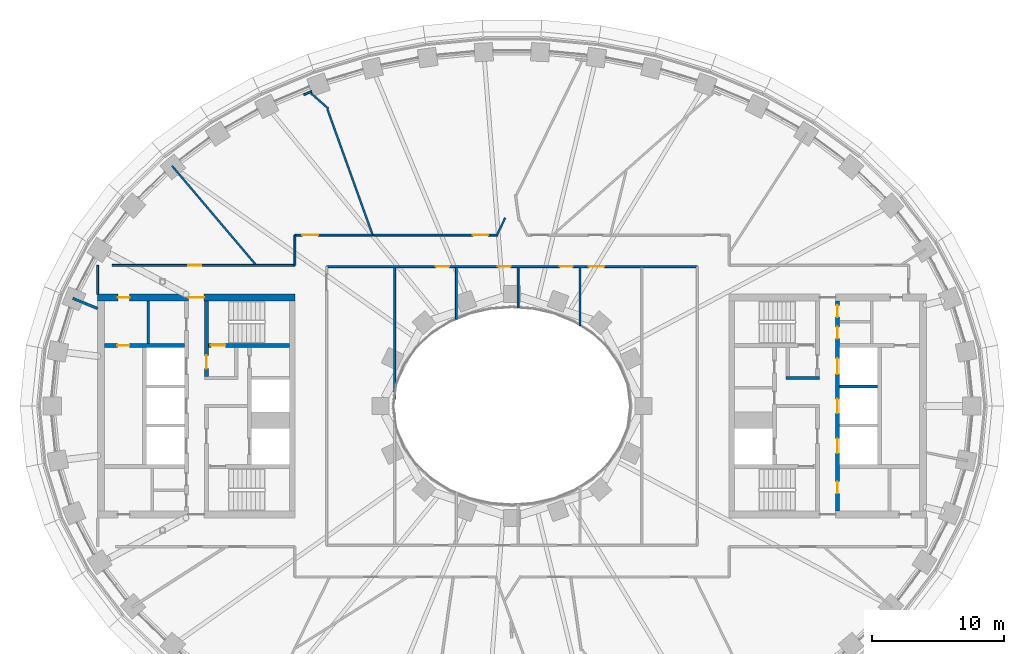
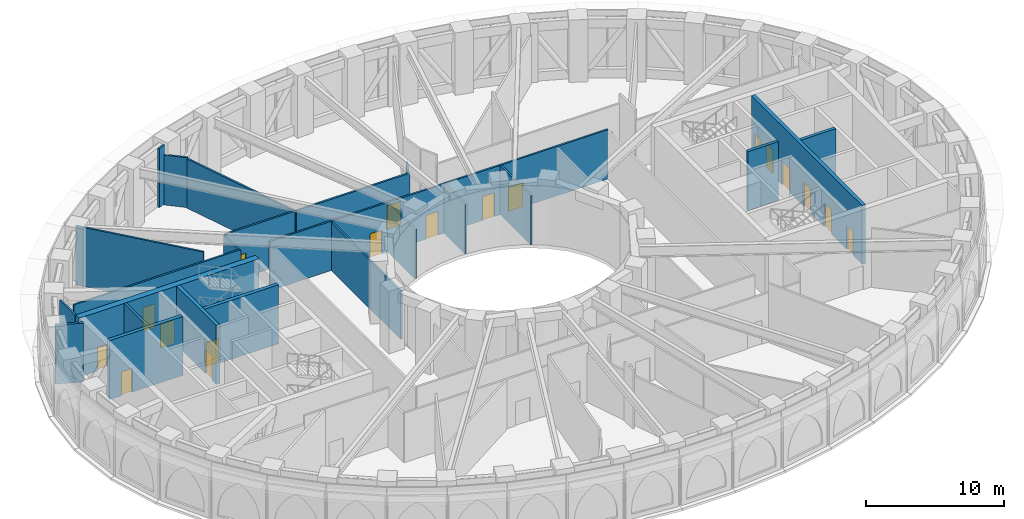
# One storey, part 8 of 25: 24 walls, 18 doors, 18 openings.
"""IFC4 building model written with IfcOpenShell, lengths in metres."""

from ifc_helpers import new_model, si_unit, direction, frame, frame_2d, origin, place, context, subcontext, project, spatial, rectangle, extrude, material, layer, layer_set, type_object, element, fill, save


model = new_model("IFC4")

# Units and contexts
model_context = context("Model", 3, precision=1e-05, world=origin(), true_north=direction((0.0, 1.0)))
body_context = subcontext(model_context, "Body", "Model", "MODEL_VIEW")
ifc_project = project(units=[si_unit("LENGTHUNIT", "METRE"), si_unit("AREAUNIT", "SQUARE_METRE"), si_unit("VOLUMEUNIT", "CUBIC_METRE"), si_unit("PLANEANGLEUNIT", "RADIAN"), si_unit("MASSUNIT", "GRAM", prefix="KILO")], contexts=[model_context])

# Site, building, storey
site_placement = place(None, origin())
site = spatial("IfcSite", under=ifc_project, at=site_placement, CompositionType="ELEMENT")
building_placement = place(site_placement, origin())
building = spatial("IfcBuilding", under=site, at=building_placement, Name="Noorbagh Ring Tower", CompositionType="ELEMENT")
storey_placement = place(building_placement, frame((0.0, 0.0, 82.5)))
storey = spatial("IfcBuildingStorey", under=building, at=storey_placement, Name="L18", CompositionType="ELEMENT", Elevation=82.5)

# Wall
ifc_material_1 = material(Name="Gypsum board on steel studs", Category="steel")
ifc_layer_1 = layer(ifc_material_1, 0.14990234375)
ifc_layer_set_1 = layer_set([ifc_layer_1], Name="Gypsum board on steel studs")
wall_type_1 = type_object("IfcWallType", Name="COMPARTMENT PARTITION 150 EI 60", PredefinedType="PARTITIONING", material=ifc_layer_set_1)
wall_1_placement = place(storey_placement, frame((-31.5, 8.5, 0.0), z_axis=(0.0, 0.0, 1.0), x_axis=(0.0, 1.0, 0.0)))
element("IfcWall", 1, at=wall_1_placement, inside=storey, type_object=wall_type_1, Name="L18/wall/P04", PredefinedType="PARTITIONING", context=body_context, shape_type="SweptSolid", body=[
    extrude(rectangle(XDim=2.199951171875, YDim=0.14990234375, at=frame_2d((1.10009765625, 0.0))), origin(), (0.0, 0.0, 1.0), 5.199951171875),
])

# Wall, opening, door
wall_2_placement = place(storey_placement, frame((-30.39501953125, 10.699951171875, 0.0), z_axis=(0.0, 0.0, 1.0), x_axis=(1.0, 0.0, 0.0)))
wall_2 = element("IfcWall", 2, at=wall_2_placement, inside=storey, type_object=wall_type_1, Name="L18/wall/P05", PredefinedType="PARTITIONING", context=body_context, shape_type="SweptSolid", body=[
    extrude(rectangle(XDim=13.89501953125, YDim=0.14990234375, at=frame_2d((6.947509765625, 0.0))), origin(), (0.0, 0.0, 1.0), 4.39990234375),
])
opening_1_placement = place(wall_2_placement, frame((5.77001953125, 0.0, 0.0)))
opening_1 = element("IfcOpeningElement", 3, at=opening_1_placement, cuts=wall_2, Name="Opening D6", PredefinedType="OPENING", context=body_context, shape_type="SweptSolid", body=[
    extrude(rectangle(XDim=1.0, YDim=2.10009765625, at=frame_2d((0.5, 1.050048828125))), frame((0.0, 0.0849609375, 0.0), z_axis=(0.0, -1.0, 0.0), x_axis=(1.0, 0.0, 0.0)), (0.0, 0.0, 1.0), 0.169921875),
])
ifc_material_2 = material(Name="Timber, painted", Category="wood")
door_type_1 = type_object("IfcDoorType", Name="DOOR 1000 X 2100 FD60", OperationType="SINGLE_SWING_LEFT", PredefinedType="DOOR", material=ifc_material_2)
door_1_placement = place(opening_1_placement, origin())
door_1 = element("IfcDoor", 4, at=door_1_placement, inside=storey, type_object=door_type_1, Name="L18-D02", OperationType="SINGLE_SWING_RIGHT", OverallHeight=2.10009765625, OverallWidth=1.0, PredefinedType="DOOR", context=body_context, shape_type="SweptSolid", body=[
    extrude(rectangle(XDim=1.0, YDim=2.10009765625, at=frame_2d((0.5, 1.050048828125))), frame((0.0, 0.02490234375, 0.0), z_axis=(0.0, -1.0, 0.0), x_axis=(1.0, 0.0, 0.0)), (0.0, 0.0, 1.0), 0.050048828125),
])
fill(opening_1, door_1)

# Walls
wall_3_placement = place(storey_placement, frame((-25.846923828125, 18.257080078125, 0.0), z_axis=(0.0, 0.0, 1.0), x_axis=(0.646390974263, -0.76300636196, 0.0)))
element("IfcWall", 5, at=wall_3_placement, inside=storey, type_object=wall_type_1, Name="L18/wall/P07", PredefinedType="PARTITIONING", context=body_context, shape_type="SweptSolid", body=[
    extrude(rectangle(XDim=9.802001953125, YDim=0.14990234375, at=frame_2d((4.90087890625, 0.0))), origin(), (0.0, 0.0, 1.0), 5.199951171875),
])
wall_4_placement = place(storey_placement, frame((-16.5, 10.699951171875, 0.0), z_axis=(0.0, 0.0, 1.0), x_axis=(0.0, 1.0, 0.0)))
element("IfcWall", 6, at=wall_4_placement, inside=storey, type_object=wall_type_1, Name="L18/wall/P13", PredefinedType="PARTITIONING", context=body_context, shape_type="SweptSolid", body=[
    extrude(rectangle(XDim=2.300048828125, YDim=0.14990234375, at=frame_2d((1.14990234375, 0.0))), origin(), (0.0, 0.0, 1.0), 4.25),
])

# Wall, opening, door
wall_5_placement = place(storey_placement, frame((-16.5, 13.0, 0.0), z_axis=(0.0, 0.0, 1.0), x_axis=(1.0, 0.0, 0.0)))
wall_5 = element("IfcWall", 7, at=wall_5_placement, inside=storey, type_object=wall_type_1, Name="L18/wall/P14", PredefinedType="PARTITIONING", context=body_context, shape_type="SweptSolid", body=[
    extrude(rectangle(XDim=5.89306640625, YDim=0.14990234375, at=frame_2d((2.946533203125, 0.0))), origin(), (0.0, 0.0, 1.0), 4.35009765625),
])
opening_2_placement = place(wall_5_placement, frame((0.554931640625, 0.0, 0.0)))
opening_2 = element("IfcOpeningElement", 8, at=opening_2_placement, cuts=wall_5, Name="Opening D7", PredefinedType="OPENING", context=body_context, shape_type="SweptSolid", body=[
    extrude(rectangle(XDim=1.199951171875, YDim=2.10009765625, at=frame_2d((0.60009765625, 1.050048828125))), frame((0.0, 0.0849609375, 0.0), z_axis=(0.0, -1.0, 0.0), x_axis=(1.0, 0.0, 0.0)), (0.0, 0.0, 1.0), 0.169921875),
])
ifc_material_3 = material(Name="Timber, painted", Category="wood")
door_type_2 = type_object("IfcDoorType", Name="DOOR 1200 X 2100 FD60", OperationType="SINGLE_SWING_LEFT", PredefinedType="DOOR", material=ifc_material_3)
door_2_placement = place(opening_2_placement, origin())
door_2 = element("IfcDoor", 9, at=door_2_placement, inside=storey, type_object=door_type_2, Name="L18-D04", OperationType="SINGLE_SWING_RIGHT", OverallHeight=2.10009765625, OverallWidth=1.199951171875, PredefinedType="DOOR", context=body_context, shape_type="SweptSolid", body=[
    extrude(rectangle(XDim=1.199951171875, YDim=2.10009765625, at=frame_2d((0.60009765625, 1.050048828125))), frame((0.0, 0.02490234375, 0.0), z_axis=(0.0, -1.0, 0.0), x_axis=(1.0, 0.0, 0.0)), (0.0, 0.0, 1.0), 0.050048828125),
])
fill(opening_2, door_2)

# Wall
wall_6_placement = place(storey_placement, frame((-15.282958984375, 23.776123046875, 0.0), z_axis=(0.0, 0.0, 1.0), x_axis=(0.749266135691, -0.662269022307, 0.0)))
element("IfcWall", 10, at=wall_6_placement, inside=storey, type_object=wall_type_1, Name="L18/wall/P15", PredefinedType="PARTITIONING", context=body_context, shape_type="SweptSolid", body=[
    extrude(rectangle(XDim=1.74560546875, YDim=0.14990234375, at=frame_2d((0.872802734375, 0.0))), origin(), (0.0, 0.0, 1.0), 4.39990234375),
])

# Wall, openings, doors
wall_7_placement = place(storey_placement, frame((-14.10009765625, 10.60009765625, 0.0), z_axis=(0.0, 0.0, 1.0), x_axis=(1.0, 0.0, 0.0)))
wall_7 = element("IfcWall", 11, at=wall_7_placement, inside=storey, type_object=wall_type_1, Name="L18/wall/P18", PredefinedType="PARTITIONING", context=body_context, shape_type="SweptSolid", body=[
    extrude(rectangle(XDim=28.2001953125, YDim=0.14990234375, at=frame_2d((14.10009765625, 0.0))), origin(), (0.0, 0.0, 1.0), 4.35009765625),
])
opening_3_placement = place(wall_7_placement, frame((8.320068359375, 0.0, 0.0)))
opening_3 = element("IfcOpeningElement", 12, at=opening_3_placement, cuts=wall_7, Name="Opening D6", PredefinedType="OPENING", context=body_context, shape_type="SweptSolid", body=[
    extrude(rectangle(XDim=1.0, YDim=2.10009765625, at=frame_2d((0.5, 1.050048828125))), frame((0.0, 0.0849609375, 0.0), z_axis=(0.0, -1.0, 0.0), x_axis=(1.0, 0.0, 0.0)), (0.0, 0.0, 1.0), 0.169921875),
])
opening_4_placement = place(wall_7_placement, frame((13.02001953125, 0.0, 0.0)))
opening_4 = element("IfcOpeningElement", 13, at=opening_4_placement, cuts=wall_7, Name="Opening D6", PredefinedType="OPENING", context=body_context, shape_type="SweptSolid", body=[
    extrude(rectangle(XDim=1.0, YDim=2.10009765625, at=frame_2d((0.5, 1.050048828125))), frame((0.0, 0.0849609375, 0.0), z_axis=(0.0, -1.0, 0.0), x_axis=(1.0, 0.0, 0.0)), (0.0, 0.0, 1.0), 0.169921875),
])
opening_5_placement = place(wall_7_placement, frame((17.719970703125, 0.0, 0.0)))
opening_5 = element("IfcOpeningElement", 14, at=opening_5_placement, cuts=wall_7, Name="Opening D6", PredefinedType="OPENING", context=body_context, shape_type="SweptSolid", body=[
    extrude(rectangle(XDim=1.0, YDim=2.10009765625, at=frame_2d((0.5, 1.050048828125))), frame((0.0, 0.0849609375, 0.0), z_axis=(0.0, -1.0, 0.0), x_axis=(1.0, 0.0, 0.0)), (0.0, 0.0, 1.0), 0.169921875),
])
opening_6_placement = place(wall_7_placement, frame((19.919921875, 0.0, 0.0)))
opening_6 = element("IfcOpeningElement", 15, at=opening_6_placement, cuts=wall_7, Name="Opening D7", PredefinedType="OPENING", context=body_context, shape_type="SweptSolid", body=[
    extrude(rectangle(XDim=1.199951171875, YDim=2.10009765625, at=frame_2d((0.60009765625, 1.050048828125))), frame((0.0, 0.0849609375, 0.0), z_axis=(0.0, -1.0, 0.0), x_axis=(1.0, 0.0, 0.0)), (0.0, 0.0, 1.0), 0.169921875),
])
door_3_placement = place(opening_3_placement, origin())
door_3 = element("IfcDoor", 16, at=door_3_placement, inside=storey, type_object=door_type_1, Name="L18-D20", OperationType="SINGLE_SWING_RIGHT", OverallHeight=2.10009765625, OverallWidth=1.0, PredefinedType="DOOR", context=body_context, shape_type="SweptSolid", body=[
    extrude(rectangle(XDim=1.0, YDim=2.10009765625, at=frame_2d((0.5, 1.050048828125))), frame((0.0, 0.02490234375, 0.0), z_axis=(0.0, -1.0, 0.0), x_axis=(1.0, 0.0, 0.0)), (0.0, 0.0, 1.0), 0.050048828125),
])
fill(opening_3, door_3)
door_4_placement = place(opening_4_placement, origin())
door_4 = element("IfcDoor", 17, at=door_4_placement, inside=storey, type_object=door_type_1, Name="L18-D22", OperationType="SINGLE_SWING_RIGHT", OverallHeight=2.10009765625, OverallWidth=1.0, PredefinedType="DOOR", context=body_context, shape_type="SweptSolid", body=[
    extrude(rectangle(XDim=1.0, YDim=2.10009765625, at=frame_2d((0.5, 1.050048828125))), frame((0.0, 0.02490234375, 0.0), z_axis=(0.0, -1.0, 0.0), x_axis=(1.0, 0.0, 0.0)), (0.0, 0.0, 1.0), 0.050048828125),
])
fill(opening_4, door_4)
door_5_placement = place(opening_5_placement, origin())
door_5 = element("IfcDoor", 18, at=door_5_placement, inside=storey, type_object=door_type_1, Name="L18-D24", OperationType="SINGLE_SWING_RIGHT", OverallHeight=2.10009765625, OverallWidth=1.0, PredefinedType="DOOR", context=body_context, shape_type="SweptSolid", body=[
    extrude(rectangle(XDim=1.0, YDim=2.10009765625, at=frame_2d((0.5, 1.050048828125))), frame((0.0, 0.02490234375, 0.0), z_axis=(0.0, -1.0, 0.0), x_axis=(1.0, 0.0, 0.0)), (0.0, 0.0, 1.0), 0.050048828125),
])
fill(opening_5, door_5)
door_6_placement = place(opening_6_placement, origin())
door_6 = element("IfcDoor", 19, at=door_6_placement, inside=storey, type_object=door_type_2, Name="L18-D25", OperationType="SINGLE_SWING_LEFT", OverallHeight=2.10009765625, OverallWidth=1.199951171875, PredefinedType="DOOR", context=body_context, shape_type="SweptSolid", body=[
    extrude(rectangle(XDim=1.199951171875, YDim=2.10009765625, at=frame_2d((0.60009765625, 1.050048828125))), frame((0.0, 0.02490234375, 0.0), z_axis=(0.0, -1.0, 0.0), x_axis=(1.0, 0.0, 0.0)), (0.0, 0.0, 1.0), 0.050048828125),
])
fill(opening_6, door_6)

# Wall
wall_8_placement = place(storey_placement, frame((-14.0390625, 22.575927734375, 0.0), z_axis=(0.0, 0.0, 1.0), x_axis=(0.338428639274, -0.940992059541, 0.0)))
element("IfcWall", 20, at=wall_8_placement, inside=storey, type_object=wall_type_1, Name="L18/wall/P19", PredefinedType="PARTITIONING", context=body_context, shape_type="SweptSolid", body=[
    extrude(rectangle(XDim=10.256103515625, YDim=0.14990234375, at=frame_2d((5.1279296875, 0.0))), origin(), (0.0, 0.0, 1.0), 4.35009765625),
])

# Wall, opening, door
wall_9_placement = place(storey_placement, frame((-10.514892578125, 13.0, 0.0), z_axis=(0.0, 0.0, 1.0), x_axis=(1.0, 0.0, 0.0)))
wall_9 = element("IfcWall", 21, at=wall_9_placement, inside=storey, type_object=wall_type_1, Name="L18/wall/P20", PredefinedType="PARTITIONING", context=body_context, shape_type="SweptSolid", body=[
    extrude(rectangle(XDim=9.447998046875, YDim=0.14990234375, at=frame_2d((4.72412109375, 0.0))), origin(), (0.0, 0.0, 1.0), 4.35009765625),
])
opening_7_placement = place(wall_9_placement, frame((7.514892578125, 0.0, 0.0)))
opening_7 = element("IfcOpeningElement", 22, at=opening_7_placement, cuts=wall_9, Name="Opening D7", PredefinedType="OPENING", context=body_context, shape_type="SweptSolid", body=[
    extrude(rectangle(XDim=1.199951171875, YDim=2.10009765625, at=frame_2d((0.60009765625, 1.050048828125))), frame((0.0, 0.0849609375, 0.0), z_axis=(0.0, -1.0, 0.0), x_axis=(1.0, 0.0, 0.0)), (0.0, 0.0, 1.0), 0.169921875),
])
door_7_placement = place(opening_7_placement, origin())
door_7 = element("IfcDoor", 23, at=door_7_placement, inside=storey, type_object=door_type_2, Name="L18-D07", OperationType="SINGLE_SWING_LEFT", OverallHeight=2.10009765625, OverallWidth=1.199951171875, PredefinedType="DOOR", context=body_context, shape_type="SweptSolid", body=[
    extrude(rectangle(XDim=1.199951171875, YDim=2.10009765625, at=frame_2d((0.60009765625, 1.050048828125))), frame((0.0, 0.02490234375, 0.0), z_axis=(0.0, -1.0, 0.0), x_axis=(1.0, 0.0, 0.0)), (0.0, 0.0, 1.0), 0.050048828125),
])
fill(opening_7, door_7)

# Walls
wall_10_placement = place(storey_placement, frame((-8.929931640625, 0.51806640625, 0.0), z_axis=(0.0, 0.0, 1.0), x_axis=(0.0, 1.0, 0.0)))
element("IfcWall", 24, at=wall_10_placement, inside=storey, type_object=wall_type_1, Name="L18/wall/P22", PredefinedType="PARTITIONING", context=body_context, shape_type="SweptSolid", body=[
    extrude(rectangle(XDim=10.0068359375, YDim=0.14990234375, at=frame_2d((5.00341796875, 0.0))), origin(), (0.0, 0.0, 1.0), 4.25),
])
wall_11_placement = place(storey_placement, frame((-4.22998046875, 6.592041015625, 0.0), z_axis=(0.0, 0.0, 1.0), x_axis=(0.0, 1.0, 0.0)))
element("IfcWall", 25, at=wall_11_placement, inside=storey, type_object=wall_type_1, Name="L18/wall/P27", PredefinedType="PARTITIONING", context=body_context, shape_type="SweptSolid", body=[
    extrude(rectangle(XDim=3.932861328125, YDim=0.14990234375, at=frame_2d((1.96630859375, 0.0))), origin(), (0.0, 0.0, 1.0), 4.35009765625),
])
wall_12_placement = place(storey_placement, frame((-1.113037109375, 13.074951171875, 0.0), z_axis=(0.0, 0.0, 1.0), x_axis=(0.439036850384, 0.898469055675, 0.0)))
element("IfcWall", 26, at=wall_12_placement, inside=storey, type_object=wall_type_1, Name="L18/wall/P29", PredefinedType="PARTITIONING", context=body_context, shape_type="SweptSolid", body=[
    extrude(rectangle(XDim=1.36474609375, YDim=0.14990234375, at=frame_2d((0.682373046875, 0.0))), origin(), (0.0, 0.0, 1.0), 4.35009765625),
])
wall_13_placement = place(storey_placement, frame((0.469970703125, 7.468994140625, 0.0), z_axis=(0.0, 0.0, 1.0), x_axis=(0.0, 1.0, 0.0)))
element("IfcWall", 27, at=wall_13_placement, inside=storey, type_object=wall_type_1, Name="L18/wall/P36", PredefinedType="PARTITIONING", context=body_context, shape_type="SweptSolid", body=[
    extrude(rectangle(XDim=3.055908203125, YDim=0.14990234375, at=frame_2d((1.52783203125, 0.0))), origin(), (0.0, 0.0, 1.0), 4.39990234375),
])
wall_14_placement = place(storey_placement, frame((5.169921875, 6.10498046875, 0.0), z_axis=(0.0, 0.0, 1.0), x_axis=(0.0, 1.0, 0.0)))
element("IfcWall", 28, at=wall_14_placement, inside=storey, type_object=wall_type_1, Name="L18/wall/P44", PredefinedType="PARTITIONING", context=body_context, shape_type="SweptSolid", body=[
    extrude(rectangle(XDim=4.419921875, YDim=0.14990234375, at=frame_2d((2.2099609375, 0.0))), origin(), (0.0, 0.0, 1.0), 4.35009765625),
])
wall_15_placement = place(storey_placement, frame((-15.228759765625, 23.918701171875, 0.0), z_axis=(0.0, 0.0, 1.0), x_axis=(-0.921921214846, -0.387377430444, 0.0)))
element("IfcWall", 29, at=wall_15_placement, inside=storey, type_object=wall_type_1, Name="L18/wall/P61", PredefinedType="PARTITIONING", context=body_context, shape_type="SweptSolid", body=[
    extrude(rectangle(XDim=0.65869140625, YDim=0.14990234375, at=frame_2d((0.329345703125, 0.0))), origin(), (0.0, 0.0, 1.0), 5.199951171875),
])
ifc_material_4 = material(Name="Gypsum board on steel studs", Category="steel")
ifc_layer_2 = layer(ifc_material_4, 0.199951171875)
ifc_layer_set_2 = layer_set([ifc_layer_2], Name="Gypsum board on steel studs")
wall_type_2 = type_object("IfcWallType", Name="CORE-PARTITION-200", PredefinedType="PARTITIONING", material=ifc_layer_set_2)
wall_16_placement = place(storey_placement, frame((-27.64990234375, 4.75, 0.0), z_axis=(0.0, 0.0, 1.0), x_axis=(0.0, 1.0, 0.0)))
element("IfcWall", 30, at=wall_16_placement, inside=storey, type_object=wall_type_2, Name="Core partition W", PredefinedType="PARTITIONING", context=body_context, shape_type="SweptSolid", body=[
    extrude(rectangle(XDim=3.25, YDim=0.199951171875, at=frame_2d((1.625, 0.0))), origin(), (0.0, 0.0, 1.0), 5.199951171875),
])
ifc_material_5 = material(Name="Concrete C70/85", Category="concrete")
ifc_layer_3 = layer(ifc_material_5, 0.25)
ifc_layer_set_3 = layer_set([ifc_layer_3], Name="Concrete C70/85")
wall_type_3 = type_object("IfcWallType", Name="CORE-WALL-250-C70-85-EI120", PredefinedType="SHEAR", material=ifc_layer_set_3)
wall_17_placement = place(storey_placement, frame((24.89990234375, 1.47509765625, 0.0), z_axis=(0.0, 0.0, 1.0), x_axis=(1.0, 0.0, 0.0)))
element("IfcWall", 31, at=wall_17_placement, inside=storey, type_object=wall_type_3, Name="Core wall E", PredefinedType="SHEAR", context=body_context, shape_type="SweptSolid", body=[
    extrude(rectangle(XDim=2.900146484375, YDim=0.25, at=frame_2d((1.4501953125, 0.0))), origin(), (0.0, 0.0, 1.0), 5.199951171875),
])
ifc_material_6 = material(Name="Concrete C70/85", Category="concrete")
ifc_layer_4 = layer(ifc_material_6, 0.25)
ifc_layer_set_4 = layer_set([ifc_layer_4], Name="Concrete C70/85")
wall_type_4 = type_object("IfcWallType", Name="CORE-WALL-250-C70-85-EI240", PredefinedType="SHEAR", material=ifc_layer_set_4)
wall_18_placement = place(storey_placement, frame((20.85009765625, 2.125, 0.0), z_axis=(0.0, 0.0, 1.0), x_axis=(1.0, 0.0, 0.0)))
element("IfcWall", 32, at=wall_18_placement, inside=storey, type_object=wall_type_4, Name="Core wall E", PredefinedType="SHEAR", context=body_context, shape_type="SweptSolid", body=[
    extrude(rectangle(XDim=2.52978515625, YDim=0.25, at=frame_2d((1.264892578125, 0.0))), origin(), (0.0, 0.0, 1.0), 5.199951171875),
])

# Wall, openings, doors
ifc_material_7 = material(Name="Concrete C70/85", Category="concrete")
ifc_layer_5 = layer(ifc_material_7, 0.300048828125)
ifc_layer_set_5 = layer_set([ifc_layer_5], Name="Concrete C70/85")
wall_type_5 = type_object("IfcWallType", Name="CORE-WALL-300-C70-85-EI120", PredefinedType="SHEAR", material=ifc_layer_set_5)
wall_19_placement = place(storey_placement, frame((24.75, -8.0, 0.0), z_axis=(0.0, 0.0, 1.0), x_axis=(0.0, 1.0, 0.0)))
wall_19 = element("IfcWall", 33, at=wall_19_placement, inside=storey, type_object=wall_type_5, Name="Core wall E", PredefinedType="SHEAR", context=body_context, shape_type="SweptSolid", body=[
    extrude(rectangle(XDim=16.0, YDim=0.300048828125, at=frame_2d((8.0, 0.0))), origin(), (0.0, 0.0, 1.0), 5.199951171875),
])
opening_8_placement = place(wall_19_placement, frame((4.425048828125, 0.0, 0.0)))
opening_8 = element("IfcOpeningElement", 34, at=opening_8_placement, cuts=wall_19, Name="Opening L18-CE02", PredefinedType="OPENING", context=body_context, shape_type="SweptSolid", body=[
    extrude(rectangle(XDim=1.10009765625, YDim=2.10009765625, at=frame_2d((0.550048828125, 1.050048828125))), frame((0.0, 0.16015625, 0.0), z_axis=(0.0, -1.0, 0.0), x_axis=(1.0, 0.0, 0.0)), (0.0, 0.0, 1.0), 0.320068359375),
])
opening_9_placement = place(wall_19_placement, frame((7.449951171875, 0.0, 0.0)))
opening_9 = element("IfcOpeningElement", 35, at=opening_9_placement, cuts=wall_19, Name="Opening L18-CE03", PredefinedType="OPENING", context=body_context, shape_type="SweptSolid", body=[
    extrude(rectangle(XDim=1.10009765625, YDim=2.10009765625, at=frame_2d((0.550048828125, 1.050048828125))), frame((0.0, 0.16015625, 0.0), z_axis=(0.0, -1.0, 0.0), x_axis=(1.0, 0.0, 0.0)), (0.0, 0.0, 1.0), 0.320068359375),
])
opening_10_placement = place(wall_19_placement, frame((10.425048828125, 0.0, 0.0)))
opening_10 = element("IfcOpeningElement", 36, at=opening_10_placement, cuts=wall_19, Name="Opening L18-CE04", PredefinedType="OPENING", context=body_context, shape_type="SweptSolid", body=[
    extrude(rectangle(XDim=1.199951171875, YDim=2.10009765625, at=frame_2d((0.60009765625, 1.050048828125))), frame((0.0, 0.16015625, 0.0), z_axis=(0.0, -1.0, 0.0), x_axis=(1.0, 0.0, 0.0)), (0.0, 0.0, 1.0), 0.320068359375),
])
opening_11_placement = place(wall_19_placement, frame((13.125, 0.0, 0.0)))
opening_11 = element("IfcOpeningElement", 37, at=opening_11_placement, cuts=wall_19, Name="Opening L18-CE13", PredefinedType="OPENING", context=body_context, shape_type="SweptSolid", body=[
    extrude(rectangle(XDim=0.89990234375, YDim=2.10009765625, at=frame_2d((0.449951171875, 1.050048828125))), frame((0.0, 0.16015625, 0.0), z_axis=(0.0, -1.0, 0.0), x_axis=(1.0, 0.0, 0.0)), (0.0, 0.0, 1.0), 0.320068359375),
])
opening_12_placement = place(wall_19_placement, frame((14.75, 0.0, 0.0)))
opening_12 = element("IfcOpeningElement", 38, at=opening_12_placement, cuts=wall_19, Name="Opening L18-CE14", PredefinedType="OPENING", context=body_context, shape_type="SweptSolid", body=[
    extrude(rectangle(XDim=0.89990234375, YDim=2.10009765625, at=frame_2d((0.449951171875, 1.050048828125))), frame((0.0, 0.16015625, 0.0), z_axis=(0.0, -1.0, 0.0), x_axis=(1.0, 0.0, 0.0)), (0.0, 0.0, 1.0), 0.320068359375),
])
opening_13_placement = place(wall_19_placement, frame((1.35009765625, 0.0, 0.0)))
opening_13 = element("IfcOpeningElement", 39, at=opening_13_placement, cuts=wall_19, Name="Opening L18-CE16", PredefinedType="OPENING", context=body_context, shape_type="SweptSolid", body=[
    extrude(rectangle(XDim=0.89990234375, YDim=2.10009765625, at=frame_2d((0.449951171875, 1.050048828125))), frame((0.0, 0.16015625, 0.0), z_axis=(0.0, -1.0, 0.0), x_axis=(1.0, 0.0, 0.0)), (0.0, 0.0, 1.0), 0.320068359375),
])
ifc_material_8 = material(Name="Steel door leaf", Category="steel")
door_type_3 = type_object("IfcDoorType", Name="CORE-DOOR-DROOM", OperationType="SINGLE_SWING_LEFT", PredefinedType="DOOR", material=ifc_material_8)
door_8_placement = place(opening_11_placement, origin())
door_8 = element("IfcDoor", 40, at=door_8_placement, inside=storey, type_object=door_type_3, Name="Core room door L18-CE13", OperationType="SINGLE_SWING_RIGHT", OverallHeight=2.10009765625, OverallWidth=0.89990234375, PredefinedType="DOOR", context=body_context, shape_type="SweptSolid", body=[
    extrude(rectangle(XDim=0.89990234375, YDim=2.10009765625, at=frame_2d((0.449951171875, 1.050048828125))), frame((0.0, 0.02490234375, 0.0), z_axis=(0.0, -1.0, 0.0), x_axis=(1.0, 0.0, 0.0)), (0.0, 0.0, 1.0), 0.050048828125),
])
fill(opening_11, door_8)
door_9_placement = place(opening_12_placement, origin())
door_9 = element("IfcDoor", 41, at=door_9_placement, inside=storey, type_object=door_type_3, Name="Core room door L18-CE14", OperationType="SINGLE_SWING_LEFT", OverallHeight=2.10009765625, OverallWidth=0.89990234375, PredefinedType="DOOR", context=body_context, shape_type="SweptSolid", body=[
    extrude(rectangle(XDim=0.89990234375, YDim=2.10009765625, at=frame_2d((0.449951171875, 1.050048828125))), frame((0.0, 0.02490234375, 0.0), z_axis=(0.0, -1.0, 0.0), x_axis=(1.0, 0.0, 0.0)), (0.0, 0.0, 1.0), 0.050048828125),
])
fill(opening_12, door_9)
door_10_placement = place(opening_13_placement, origin())
door_10 = element("IfcDoor", 42, at=door_10_placement, inside=storey, type_object=door_type_3, Name="Core room door L18-CE16", OperationType="SINGLE_SWING_RIGHT", OverallHeight=2.10009765625, OverallWidth=0.89990234375, PredefinedType="DOOR", context=body_context, shape_type="SweptSolid", body=[
    extrude(rectangle(XDim=0.89990234375, YDim=2.10009765625, at=frame_2d((0.449951171875, 1.050048828125))), frame((0.0, 0.02490234375, 0.0), z_axis=(0.0, -1.0, 0.0), x_axis=(1.0, 0.0, 0.0)), (0.0, 0.0, 1.0), 0.050048828125),
])
fill(opening_13, door_10)
ifc_material_9 = material(Name="Steel door leaf", Category="steel")
door_type_4 = type_object("IfcDoorType", Name="CORE-DOOR-LD", OperationType="DOUBLE_DOOR_SLIDING", PredefinedType="DOOR", material=ifc_material_9)
door_11_placement = place(opening_8_placement, origin())
door_11 = element("IfcDoor", 43, at=door_11_placement, inside=storey, type_object=door_type_4, Name="Landing door LR3 L18-CE02", OperationType="DOUBLE_DOOR_SLIDING", OverallHeight=2.10009765625, OverallWidth=1.10009765625, PredefinedType="DOOR", context=body_context, shape_type="SweptSolid", body=[
    extrude(rectangle(XDim=1.10009765625, YDim=2.10009765625, at=frame_2d((0.550048828125, 1.050048828125))), frame((0.0, 0.02490234375, 0.0), z_axis=(0.0, -1.0, 0.0), x_axis=(1.0, 0.0, 0.0)), (0.0, 0.0, 1.0), 0.050048828125),
])
fill(opening_8, door_11)
door_12_placement = place(opening_9_placement, origin())
door_12 = element("IfcDoor", 44, at=door_12_placement, inside=storey, type_object=door_type_4, Name="Landing door LR4 L18-CE03", OperationType="DOUBLE_DOOR_SLIDING", OverallHeight=2.10009765625, OverallWidth=1.10009765625, PredefinedType="DOOR", context=body_context, shape_type="SweptSolid", body=[
    extrude(rectangle(XDim=1.10009765625, YDim=2.10009765625, at=frame_2d((0.550048828125, 1.050048828125))), frame((0.0, 0.02490234375, 0.0), z_axis=(0.0, -1.0, 0.0), x_axis=(1.0, 0.0, 0.0)), (0.0, 0.0, 1.0), 0.050048828125),
])
fill(opening_9, door_12)
ifc_material_10 = material(Name="Steel door leaf", Category="steel")
door_type_5 = type_object("IfcDoorType", Name="CORE-DOOR-LDW", OperationType="DOUBLE_DOOR_SLIDING", PredefinedType="DOOR", material=ifc_material_10)
door_13_placement = place(opening_10_placement, origin())
door_13 = element("IfcDoor", 45, at=door_13_placement, inside=storey, type_object=door_type_5, Name="Landing door SV2 L18-CE04", OperationType="DOUBLE_DOOR_SLIDING", OverallHeight=2.10009765625, OverallWidth=1.199951171875, PredefinedType="DOOR", context=body_context, shape_type="SweptSolid", body=[
    extrude(rectangle(XDim=1.199951171875, YDim=2.10009765625, at=frame_2d((0.60009765625, 1.050048828125))), frame((0.0, 0.02490234375, 0.0), z_axis=(0.0, -1.0, 0.0), x_axis=(1.0, 0.0, 0.0)), (0.0, 0.0, 1.0), 0.050048828125),
])
fill(opening_10, door_13)

# Wall, opening, door
ifc_material_11 = material(Name="Concrete C70/85", Category="concrete")
ifc_layer_6 = layer(ifc_material_11, 0.300048828125)
ifc_layer_set_6 = layer_set([ifc_layer_6], Name="Concrete C70/85")
wall_type_6 = type_object("IfcWallType", Name="CORE-WALL-300-C70-85-EI240", PredefinedType="SHEAR", material=ifc_layer_set_6)
wall_20_placement = place(storey_placement, frame((-24.89990234375, 4.60009765625, 0.0), z_axis=(0.0, 0.0, 1.0), x_axis=(-1.0, 0.0, 0.0)))
wall_20 = element("IfcWall", 46, at=wall_20_placement, inside=storey, type_object=wall_type_6, Name="Core wall W", PredefinedType="SHEAR", context=body_context, shape_type="SweptSolid", body=[
    extrude(rectangle(XDim=6.10009765625, YDim=0.300048828125, at=frame_2d((3.050048828125, 0.0))), origin(), (0.0, 0.0, 1.0), 5.199951171875),
])
opening_14_placement = place(wall_20_placement, frame((4.199951171875, 0.0, 0.0)))
opening_14 = element("IfcOpeningElement", 47, at=opening_14_placement, cuts=wall_20, Name="Opening L18-CW17", PredefinedType="OPENING", context=body_context, shape_type="SweptSolid", body=[
    extrude(rectangle(XDim=0.89990234375, YDim=2.10009765625, at=frame_2d((0.449951171875, 1.050048828125))), frame((0.0, 0.16015625, 0.0), z_axis=(0.0, -1.0, 0.0), x_axis=(1.0, 0.0, 0.0)), (0.0, 0.0, 1.0), 0.320068359375),
])
door_14_placement = place(opening_14_placement, origin())
door_14 = element("IfcDoor", 48, at=door_14_placement, inside=storey, type_object=door_type_3, Name="Core room door L18-CW17", OperationType="SINGLE_SWING_LEFT", OverallHeight=2.10009765625, OverallWidth=0.89990234375, PredefinedType="DOOR", context=body_context, shape_type="SweptSolid", body=[
    extrude(rectangle(XDim=0.89990234375, YDim=2.10009765625, at=frame_2d((0.449951171875, 1.050048828125))), frame((0.0, 0.02490234375, 0.0), z_axis=(0.0, -1.0, 0.0), x_axis=(1.0, 0.0, 0.0)), (0.0, 0.0, 1.0), 0.050048828125),
])
fill(opening_14, door_14)

wall_21_placement = place(storey_placement, frame((-23.22998046875, 2.25, 0.0), z_axis=(0.0, 0.0, 1.0), x_axis=(0.0, 1.0, 0.0)))
wall_21 = element("IfcWall", 49, at=wall_21_placement, inside=storey, type_object=wall_type_6, Name="Core wall W", PredefinedType="SHEAR", context=body_context, shape_type="SweptSolid", body=[
    extrude(rectangle(XDim=5.75, YDim=0.300048828125, at=frame_2d((2.875, 0.0))), origin(), (0.0, 0.0, 1.0), 5.199951171875),
])
opening_15_placement = place(wall_21_placement, frame((0.60009765625, 0.0, 0.0)))
opening_15 = element("IfcOpeningElement", 50, at=opening_15_placement, cuts=wall_21, Name="Opening L18-CW08", PredefinedType="OPENING", context=body_context, shape_type="SweptSolid", body=[
    extrude(rectangle(XDim=1.0, YDim=2.10009765625, at=frame_2d((0.5, 1.050048828125))), frame((0.0, 0.16015625, 0.0), z_axis=(0.0, -1.0, 0.0), x_axis=(1.0, 0.0, 0.0)), (0.0, 0.0, 1.0), 0.320068359375),
])
ifc_material_12 = material(Name="Steel door leaf", Category="steel")
door_type_6 = type_object("IfcDoorType", Name="CORE-DOOR-DVEST", OperationType="SINGLE_SWING_LEFT", PredefinedType="DOOR", material=ifc_material_12)
door_15_placement = place(opening_15_placement, origin())
door_15 = element("IfcDoor", 51, at=door_15_placement, inside=storey, type_object=door_type_6, Name="Stair vestibule door L18-CW08", OperationType="SINGLE_SWING_LEFT", OverallHeight=2.10009765625, OverallWidth=1.0, PredefinedType="DOOR", context=body_context, shape_type="SweptSolid", body=[
    extrude(rectangle(XDim=1.0, YDim=2.10009765625, at=frame_2d((0.5, 1.050048828125))), frame((0.0, 0.02490234375, 0.0), z_axis=(0.0, -1.0, 0.0), x_axis=(1.0, 0.0, 0.0)), (0.0, 0.0, 1.0), 0.050048828125),
])
fill(opening_15, door_15)

wall_22_placement = place(storey_placement, frame((-16.89990234375, 4.60009765625, 0.0), z_axis=(0.0, 0.0, 1.0), x_axis=(-1.0, 0.0, 0.0)))
wall_22 = element("IfcWall", 52, at=wall_22_placement, inside=storey, type_object=wall_type_6, Name="Core wall W", PredefinedType="SHEAR", context=body_context, shape_type="SweptSolid", body=[
    extrude(rectangle(XDim=6.18017578125, YDim=0.300048828125, at=frame_2d((3.090087890625, 0.0))), origin(), (0.0, 0.0, 1.0), 5.199951171875),
])
opening_16_placement = place(wall_22_placement, frame((4.89990234375, 0.0, 0.0)))
opening_16 = element("IfcOpeningElement", 53, at=opening_16_placement, cuts=wall_22, Name="Opening L18-CW05", PredefinedType="OPENING", context=body_context, shape_type="SweptSolid", body=[
    extrude(rectangle(XDim=1.10009765625, YDim=2.10009765625, at=frame_2d((0.550048828125, 1.050048828125))), frame((0.0, 0.16015625, 0.0), z_axis=(0.0, -1.0, 0.0), x_axis=(1.0, 0.0, 0.0)), (0.0, 0.0, 1.0), 0.320068359375),
])
ifc_material_13 = material(Name="Steel door leaf", Category="steel")
door_type_7 = type_object("IfcDoorType", Name="CORE-DOOR-DSTAIR", OperationType="SINGLE_SWING_LEFT", PredefinedType="DOOR", material=ifc_material_13)
door_16_placement = place(opening_16_placement, origin())
door_16 = element("IfcDoor", 54, at=door_16_placement, inside=storey, type_object=door_type_7, Name="Stair door ST1 L18-CW05", OperationType="SINGLE_SWING_RIGHT", OverallHeight=2.10009765625, OverallWidth=1.10009765625, PredefinedType="DOOR", context=body_context, shape_type="SweptSolid", body=[
    extrude(rectangle(XDim=1.10009765625, YDim=2.10009765625, at=frame_2d((0.550048828125, 1.050048828125))), frame((0.0, 0.02490234375, 0.0), z_axis=(0.0, -1.0, 0.0), x_axis=(1.0, 0.0, 0.0)), (0.0, 0.0, 1.0), 0.050048828125),
])
fill(opening_16, door_16)

# Wall, openings, doors
ifc_material_14 = material(Name="Concrete C70/85", Category="concrete")
ifc_layer_7 = layer(ifc_material_14, 0.5)
ifc_layer_set_7 = layer_set([ifc_layer_7], Name="Concrete C70/85")
wall_type_7 = type_object("IfcWallType", Name="CORE-WALL-500-C70-85-EI240", PredefinedType="SHEAR", material=ifc_layer_set_7)
wall_23_placement = place(storey_placement, frame((-16.5, 8.25, 0.0), z_axis=(0.0, 0.0, 1.0), x_axis=(-1.0, 0.0, 0.0)))
wall_23 = element("IfcWall", 55, at=wall_23_placement, inside=storey, type_object=wall_type_7, Name="Core wall W", PredefinedType="SHEAR", context=body_context, shape_type="SweptSolid", body=[
    extrude(rectangle(XDim=15.0, YDim=0.5, at=frame_2d((7.5, 0.0))), origin(), (0.0, 0.0, 1.0), 5.199951171875),
])
opening_17_placement = place(wall_23_placement, frame((6.89990234375, 0.0, 0.0)))
opening_17 = element("IfcOpeningElement", 56, at=opening_17_placement, cuts=wall_23, Name="Opening L18-CW09", PredefinedType="OPENING", context=body_context, shape_type="SweptSolid", body=[
    extrude(rectangle(XDim=1.199951171875, YDim=2.10009765625, at=frame_2d((0.60009765625, 1.050048828125))), frame((0.0, 0.260009765625, 0.0), z_axis=(0.0, -1.0, 0.0), x_axis=(1.0, 0.0, 0.0)), (0.0, 0.0, 1.0), 0.52001953125),
])
opening_18_placement = place(wall_23_placement, frame((12.570068359375, 0.0, 0.0)))
opening_18 = element("IfcOpeningElement", 57, at=opening_18_placement, cuts=wall_23, Name="Opening L18-CW13", PredefinedType="OPENING", context=body_context, shape_type="SweptSolid", body=[
    extrude(rectangle(XDim=0.89990234375, YDim=2.10009765625, at=frame_2d((0.449951171875, 1.050048828125))), frame((0.0, 0.260009765625, 0.0), z_axis=(0.0, -1.0, 0.0), x_axis=(1.0, 0.0, 0.0)), (0.0, 0.0, 1.0), 0.52001953125),
])
door_17_placement = place(opening_18_placement, origin())
door_17 = element("IfcDoor", 58, at=door_17_placement, inside=storey, type_object=door_type_3, Name="Core room door L18-CW13", OperationType="SINGLE_SWING_RIGHT", OverallHeight=2.10009765625, OverallWidth=0.89990234375, PredefinedType="DOOR", context=body_context, shape_type="SweptSolid", body=[
    extrude(rectangle(XDim=0.89990234375, YDim=2.10009765625, at=frame_2d((0.449951171875, 1.050048828125))), frame((0.0, 0.02490234375, 0.0), z_axis=(0.0, -1.0, 0.0), x_axis=(1.0, 0.0, 0.0)), (0.0, 0.0, 1.0), 0.050048828125),
])
fill(opening_18, door_17)
ifc_material_15 = material(Name="Steel door leaf", Category="steel")
door_type_8 = type_object("IfcDoorType", Name="CORE-DOOR-PORT", OperationType="DOUBLE_DOOR_DOUBLE_SWING", PredefinedType="DOOR", material=ifc_material_15)
door_18_placement = place(opening_17_placement, origin())
door_18 = element("IfcDoor", 59, at=door_18_placement, inside=storey, type_object=door_type_8, Name="Core entrance door L18-CW09", OperationType="DOUBLE_DOOR_DOUBLE_SWING", OverallHeight=2.10009765625, OverallWidth=1.199951171875, PredefinedType="DOOR", context=body_context, shape_type="SweptSolid", body=[
    extrude(rectangle(XDim=1.199951171875, YDim=2.10009765625, at=frame_2d((0.60009765625, 1.050048828125))), frame((0.0, 0.02490234375, 0.0), z_axis=(0.0, -1.0, 0.0), x_axis=(1.0, 0.0, 0.0)), (0.0, 0.0, 1.0), 0.050048828125),
])
fill(opening_17, door_18)

# Wall
ifc_material_16 = material(Name="Gypsum board on steel studs", Category="steel")
ifc_layer_8 = layer(ifc_material_16, 0.199951171875)
ifc_layer_set_8 = layer_set([ifc_layer_8], Name="Gypsum board on steel studs")
wall_type_8 = type_object("IfcWallType", Name="SHAFT PARTITION 200 EI 120", PredefinedType="PARTITIONING", material=ifc_layer_set_8)
wall_24_placement = place(storey_placement, frame((-33.39794921875, 8.18701171875, 0.0), z_axis=(0.0, 0.0, 1.0), x_axis=(0.925433139688, -0.378910944639, 0.0)))
element("IfcWall", 60, at=wall_24_placement, inside=storey, type_object=wall_type_8, Name="L18/wall/P01", PredefinedType="PARTITIONING", context=body_context, shape_type="SweptSolid", body=[
    extrude(rectangle(XDim=2.05078125, YDim=0.199951171875, at=frame_2d((1.025390625, 0.0))), origin(), (0.0, 0.0, 1.0), 5.199951171875),
])

save(model, "model.ifc")
